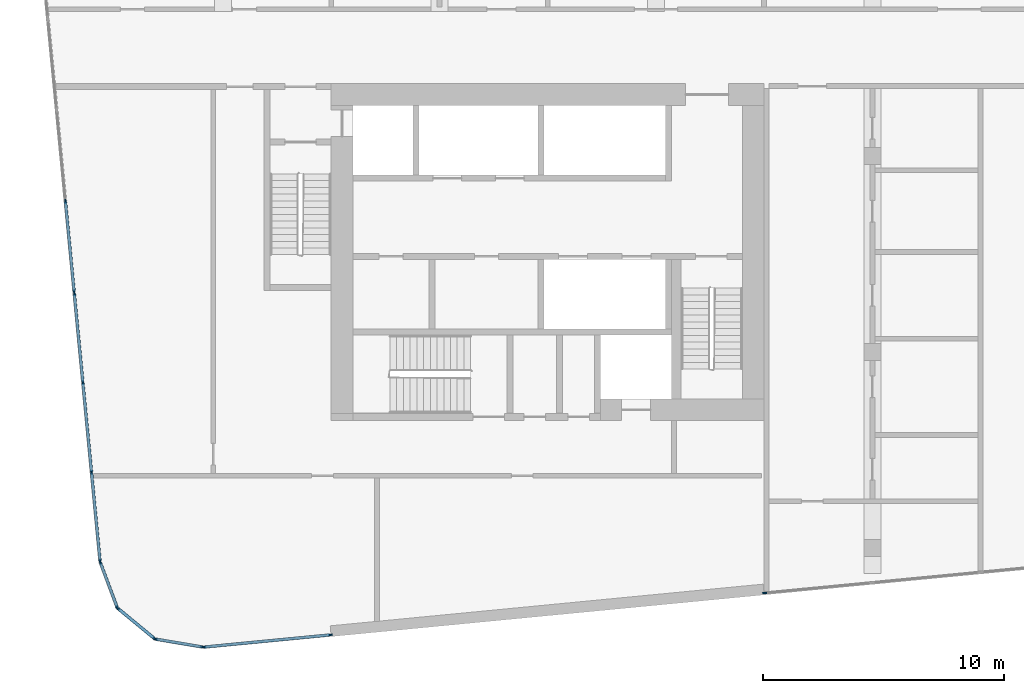
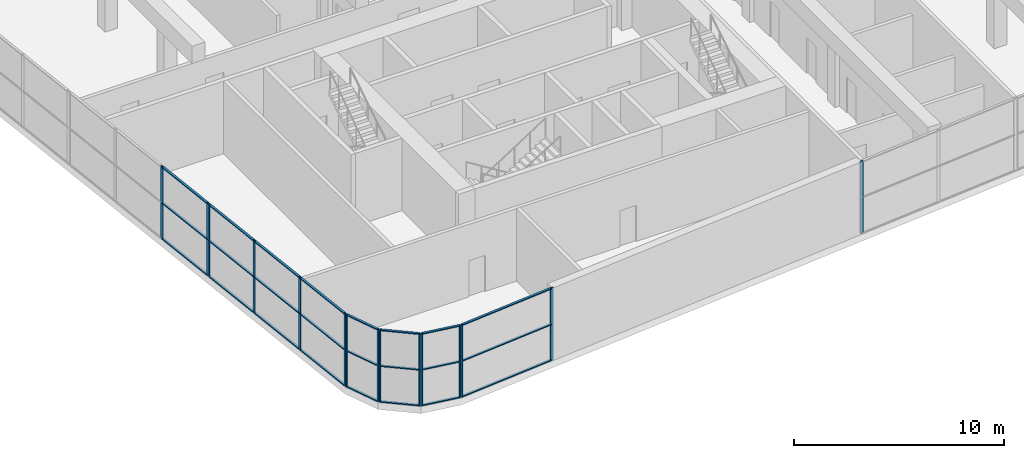
# One storey, part 2 of 21: 39 members, 7 elements without a shape of their own.
"""IFC4 building model written with IfcOpenShell, lengths in metres."""

from ifc_helpers import new_model, si_unit, direction, frame, origin, origin_2d, place, context, subcontext, project, spatial, rectangle, extrude, material, material_profile, profile_set, type_object, element, aggregate, save


model = new_model("IFC4")

# Units and contexts
model_context = context("Model", 3, precision=1e-05, world=origin(), true_north=direction((0.0, 1.0)))
body_context = subcontext(model_context, "Body", "Model", "MODEL_VIEW")
ifc_project = project(units=[si_unit("LENGTHUNIT", "METRE"), si_unit("AREAUNIT", "SQUARE_METRE"), si_unit("VOLUMEUNIT", "CUBIC_METRE"), si_unit("PLANEANGLEUNIT", "RADIAN"), si_unit("MASSUNIT", "GRAM", prefix="KILO")], contexts=[model_context])

# Site, building, storey
site_placement = place(None, origin())
site = spatial("IfcSite", under=ifc_project, at=site_placement, CompositionType="ELEMENT")
building_placement = place(site_placement, origin())
building = spatial("IfcBuilding", under=site, at=building_placement, Name="Kajstack Hotel Tower", CompositionType="ELEMENT")
storey_placement = place(building_placement, frame((0.0, 0.0, 162.39990234375)))
storey = spatial("IfcBuildingStorey", under=building, at=storey_placement, Name="L37", CompositionType="ELEMENT", Elevation=162.39990234375)

# Curtain wall, members
ifc_material_1 = material(Name="Aluminium-framed curtain wall, insulated glass with fritted edge", Category="aluminium")
curtain_wall_type = type_object("IfcCurtainWallType", Name="CW-SPA", PredefinedType="NOTDEFINED", material=ifc_material_1)
curtain_wall_1_placement = place(storey_placement, origin())
curtain_wall_1 = element("IfcCurtainWall", 1, at=curtain_wall_1_placement, inside=storey, type_object=curtain_wall_type, Name="Curtain wall CU7 L37-00-00-1", PredefinedType="NOTDEFINED")
ifc_material_2 = material(Name="Aluminium", Category="aluminium")
ifc_material_profile_1 = material_profile(ifc_material_2, rectangle(XDim=0.06005859375, YDim=0.179931640625, at=origin_2d()), Name="Aluminium mullion 60 x 180")
ifc_profile_set_1 = profile_set([ifc_material_profile_1], Name="Aluminium")
member_type_1 = type_object("IfcMemberType", Name="CW-M-SPA", PredefinedType="MULLION", material=ifc_profile_set_1)
member_1_placement = place(storey_placement, frame((-42.549072265625, -6.392822265625, 0.0), z_axis=(0.0, 0.0, 1.0), x_axis=(0.995396336722, 0.095844315639, 0.0)))
member_1 = element("IfcMember", 2, at=member_1_placement, type_object=member_type_1, Name="CU7 mullion 3", PredefinedType="MULLION", context=body_context, shape_type="SweptSolid", body=[
    extrude(rectangle(XDim=0.06005859375, YDim=0.179931640625, at=origin_2d()), origin(), (0.0, 0.0, 1.0), 4.22021484375),
])
member_2_placement = place(storey_placement, frame((-42.186279296875, -10.162841796875, 0.0), z_axis=(0.0, 0.0, 1.0), x_axis=(0.995396336722, 0.095844315639, 0.0)))
member_2 = element("IfcMember", 3, at=member_2_placement, type_object=member_type_1, Name="CU7 mullion 4", PredefinedType="MULLION", context=body_context, shape_type="SweptSolid", body=[
    extrude(rectangle(XDim=0.06005859375, YDim=0.179931640625, at=origin_2d()), origin(), (0.0, 0.0, 1.0), 4.22021484375),
])

curtain_wall_2_placement = place(storey_placement, origin())
curtain_wall_2 = element("IfcCurtainWall", 4, at=curtain_wall_2_placement, inside=storey, type_object=curtain_wall_type, Name="Curtain wall CU7 L37-00-00-2", PredefinedType="NOTDEFINED")
member_3_placement = place(storey_placement, frame((-42.180419921875, -10.22265625, 0.0), z_axis=(0.0, 0.0, 1.0), x_axis=(0.995396334827, 0.095844335322, 0.0)))
member_3 = element("IfcMember", 5, at=member_3_placement, type_object=member_type_1, Name="CU7 mullion 1", PredefinedType="MULLION", context=body_context, shape_type="SweptSolid", body=[
    extrude(rectangle(XDim=0.06005859375, YDim=0.179931640625, at=origin_2d()), origin(), (0.0, 0.0, 1.0), 4.22021484375),
])
member_4_placement = place(storey_placement, frame((-41.82373046875, -13.926025390625, 0.0), z_axis=(0.0, 0.0, 1.0), x_axis=(0.995396334827, 0.095844335322, 0.0)))
member_4 = element("IfcMember", 6, at=member_4_placement, type_object=member_type_1, Name="CU7 mullion 2", PredefinedType="MULLION", context=body_context, shape_type="SweptSolid", body=[
    extrude(rectangle(XDim=0.06005859375, YDim=0.179931640625, at=origin_2d()), origin(), (0.0, 0.0, 1.0), 4.22021484375),
])
member_5_placement = place(storey_placement, frame((-41.46435546875, -17.658935546875, 0.0), z_axis=(0.0, 0.0, 1.0), x_axis=(0.995396334827, 0.095844335322, 0.0)))
member_5 = element("IfcMember", 7, at=member_5_placement, type_object=member_type_1, Name="CU7 mullion 3", PredefinedType="MULLION", context=body_context, shape_type="SweptSolid", body=[
    extrude(rectangle(XDim=0.06005859375, YDim=0.179931640625, at=origin_2d()), origin(), (0.0, 0.0, 1.0), 4.22021484375),
])
member_6_placement = place(storey_placement, frame((-41.10791015625, -21.3623046875, 0.0), z_axis=(0.0, 0.0, 1.0), x_axis=(0.995396334827, 0.095844335322, 0.0)))
member_6 = element("IfcMember", 8, at=member_6_placement, type_object=member_type_1, Name="CU7 mullion 4", PredefinedType="MULLION", context=body_context, shape_type="SweptSolid", body=[
    extrude(rectangle(XDim=0.06005859375, YDim=0.179931640625, at=origin_2d()), origin(), (0.0, 0.0, 1.0), 4.22021484375),
])

curtain_wall_3_placement = place(storey_placement, origin())
curtain_wall_3 = element("IfcCurtainWall", 9, at=curtain_wall_3_placement, inside=storey, type_object=curtain_wall_type, Name="Curtain wall CU7 L37-01-00-0", PredefinedType="NOTDEFINED")
member_7_placement = place(storey_placement, frame((-41.098876953125, -21.401123046875, 0.0), z_axis=(0.0, 0.0, 1.0), x_axis=(0.936664162844, 0.350228848104, 0.0)))
member_7 = element("IfcMember", 10, at=member_7_placement, type_object=member_type_1, Name="CU7 mullion 1", PredefinedType="MULLION", context=body_context, shape_type="SweptSolid", body=[
    extrude(rectangle(XDim=0.06005859375, YDim=0.179931640625, at=origin_2d()), origin(), (0.0, 0.0, 1.0), 4.22021484375),
])
member_8_placement = place(storey_placement, frame((-40.394775390625, -23.284423828125, 0.0), z_axis=(0.0, 0.0, 1.0), x_axis=(0.936664162844, 0.350228848104, 0.0)))
member_8 = element("IfcMember", 11, at=member_8_placement, type_object=member_type_1, Name="CU7 mullion 2", PredefinedType="MULLION", context=body_context, shape_type="SweptSolid", body=[
    extrude(rectangle(XDim=0.06005859375, YDim=0.179931640625, at=origin_2d()), origin(), (0.0, 0.0, 1.0), 4.22021484375),
])

curtain_wall_4_placement = place(storey_placement, origin())
curtain_wall_4 = element("IfcCurtainWall", 12, at=curtain_wall_4_placement, inside=storey, type_object=curtain_wall_type, Name="Curtain wall CU7 L37-02-00-0", PredefinedType="NOTDEFINED")
member_9_placement = place(storey_placement, frame((-40.383544921875, -23.300048828125, 0.0), z_axis=(0.0, 0.0, 1.0), x_axis=(0.636089777678, 0.771615056057, 0.0)))
member_9 = element("IfcMember", 13, at=member_9_placement, type_object=member_type_1, Name="CU7 mullion 1", PredefinedType="MULLION", context=body_context, shape_type="SweptSolid", body=[
    extrude(rectangle(XDim=0.06005859375, YDim=0.179931640625, at=origin_2d()), origin(), (0.0, 0.0, 1.0), 4.22021484375),
])
member_10_placement = place(storey_placement, frame((-38.832275390625, -24.578857421875, 0.0), z_axis=(0.0, 0.0, 1.0), x_axis=(0.636089777678, 0.771615056057, 0.0)))
member_10 = element("IfcMember", 14, at=member_10_placement, type_object=member_type_1, Name="CU7 mullion 2", PredefinedType="MULLION", context=body_context, shape_type="SweptSolid", body=[
    extrude(rectangle(XDim=0.06005859375, YDim=0.179931640625, at=origin_2d()), origin(), (0.0, 0.0, 1.0), 4.22021484375),
])

curtain_wall_5_placement = place(storey_placement, origin())
curtain_wall_5 = element("IfcCurtainWall", 15, at=curtain_wall_5_placement, inside=storey, type_object=curtain_wall_type, Name="Curtain wall CU7 L37-03-00-0", PredefinedType="NOTDEFINED")
member_11_placement = place(storey_placement, frame((-38.81494140625, -24.586669921875, 0.0), z_axis=(0.0, 0.0, 1.0), x_axis=(0.165025489464, 0.986289302298, 0.0)))
member_11 = element("IfcMember", 16, at=member_11_placement, type_object=member_type_1, Name="CU7 mullion 1", PredefinedType="MULLION", context=body_context, shape_type="SweptSolid", body=[
    extrude(rectangle(XDim=0.06005859375, YDim=0.179931640625, at=origin_2d()), origin(), (0.0, 0.0, 1.0), 4.22021484375),
])
member_12_placement = place(storey_placement, frame((-36.831787109375, -24.91845703125, 0.0), z_axis=(0.0, 0.0, 1.0), x_axis=(0.165025489464, 0.986289302298, 0.0)))
member_12 = element("IfcMember", 17, at=member_12_placement, type_object=member_type_1, Name="CU7 mullion 2", PredefinedType="MULLION", context=body_context, shape_type="SweptSolid", body=[
    extrude(rectangle(XDim=0.06005859375, YDim=0.179931640625, at=origin_2d()), origin(), (0.0, 0.0, 1.0), 4.22021484375),
])

curtain_wall_6_placement = place(storey_placement, origin())
curtain_wall_6 = element("IfcCurtainWall", 18, at=curtain_wall_6_placement, inside=storey, type_object=curtain_wall_type, Name="Curtain wall CU7 L37-04-00-0", PredefinedType="NOTDEFINED")
member_13_placement = place(storey_placement, frame((-36.7919921875, -24.919921875, 0.0), z_axis=(0.0, 0.0, 1.0), x_axis=(-0.09584528696, 0.995396243195, 0.0)))
member_13 = element("IfcMember", 19, at=member_13_placement, type_object=member_type_1, Name="CU7 mullion 1", PredefinedType="MULLION", context=body_context, shape_type="SweptSolid", body=[
    extrude(rectangle(XDim=0.06005859375, YDim=0.179931640625, at=origin_2d()), origin(), (0.0, 0.0, 1.0), 4.22021484375),
])
member_14_placement = place(storey_placement, frame((-31.537109375, -24.4140625, 0.0), z_axis=(0.0, 0.0, 1.0), x_axis=(-0.09584528696, 0.995396243195, 0.0)))
member_14 = element("IfcMember", 20, at=member_14_placement, type_object=member_type_1, Name="CU7 mullion 2", PredefinedType="MULLION", context=body_context, shape_type="SweptSolid", body=[
    extrude(rectangle(XDim=0.06005859375, YDim=0.179931640625, at=origin_2d()), origin(), (0.0, 0.0, 1.0), 4.22021484375),
])

# Curtain wall, member
curtain_wall_7_placement = place(storey_placement, origin())
curtain_wall_7 = element("IfcCurtainWall", 21, at=curtain_wall_7_placement, inside=storey, type_object=curtain_wall_type, Name="Curtain wall CU7 L37-04-02-0", PredefinedType="NOTDEFINED")
member_15_placement = place(storey_placement, frame((-13.477294921875, -22.675048828125, 0.0), z_axis=(0.0, 0.0, 1.0), x_axis=(-0.095845383606, 0.99539623389, 0.0)))
member_15 = element("IfcMember", 22, at=member_15_placement, type_object=member_type_1, Name="CU7 mullion 1", PredefinedType="MULLION", context=body_context, shape_type="SweptSolid", body=[
    extrude(rectangle(XDim=0.06005859375, YDim=0.179931640625, at=origin_2d()), origin(), (0.0, 0.0, 1.0), 4.22021484375),
])
aggregate(curtain_wall_7, [member_15])

# Member
ifc_material_profile_2 = material_profile(ifc_material_2, rectangle(XDim=0.1201171875, YDim=0.06005859375, at=origin_2d()), Name="Aluminium transom 120 x 60")
ifc_profile_set_2 = profile_set([ifc_material_profile_2], Name="Aluminium")
member_type_2 = type_object("IfcMemberType", Name="CW-T-SPA", PredefinedType="USERDEFINED", material=ifc_profile_set_2)
member_16_placement = place(storey_placement, frame((-42.54638671875, -6.422607421875, 0.030029296875), z_axis=(0.095884626486, -0.995392454464, 0.0), x_axis=(0.995392454464, 0.095884626486, 0.0)))
member_16 = element("IfcMember", 23, at=member_16_placement, type_object=member_type_2, Name="CU7 transom 3.1", ObjectType="TRANSOM", PredefinedType="USERDEFINED", context=body_context, shape_type="SweptSolid", body=[
    extrude(rectangle(XDim=0.1201171875, YDim=0.06005859375, at=origin_2d()), origin(), (0.0, 0.0, 1.0), 3.7275390625),
])

member_17_placement = place(storey_placement, frame((-42.54638671875, -6.422607421875, 2.110107421875), z_axis=(0.095884626486, -0.995392454464, 0.0), x_axis=(0.995392454464, 0.095884626486, 0.0)))
member_17 = element("IfcMember", 24, at=member_17_placement, type_object=member_type_2, Name="CU7 transom 3.2", ObjectType="TRANSOM", PredefinedType="USERDEFINED", context=body_context, shape_type="SweptSolid", body=[
    extrude(rectangle(XDim=0.1201171875, YDim=0.06005859375, at=origin_2d()), origin(), (0.0, 0.0, 1.0), 3.7275390625),
])

member_18_placement = place(storey_placement, frame((-42.54638671875, -6.422607421875, 4.190185546875), z_axis=(0.095884626486, -0.995392454464, 0.0), x_axis=(0.995392454464, 0.095884626486, 0.0)))
member_18 = element("IfcMember", 25, at=member_18_placement, type_object=member_type_2, Name="CU7 transom 3.3", ObjectType="TRANSOM", PredefinedType="USERDEFINED", context=body_context, shape_type="SweptSolid", body=[
    extrude(rectangle(XDim=0.1201171875, YDim=0.06005859375, at=origin_2d()), origin(), (0.0, 0.0, 1.0), 3.7275390625),
])

aggregate(curtain_wall_1, [member_1, member_2, member_16, member_17, member_18])

member_19_placement = place(storey_placement, frame((-42.177490234375, -10.25244140625, 0.030029296875), z_axis=(0.095844579162, -0.995396311348, 0.0), x_axis=(0.995396311348, 0.095844579162, 0.0)))
member_19 = element("IfcMember", 26, at=member_19_placement, type_object=member_type_2, Name="CU7 transom 1.1", ObjectType="TRANSOM", PredefinedType="USERDEFINED", context=body_context, shape_type="SweptSolid", body=[
    extrude(rectangle(XDim=0.1201171875, YDim=0.06005859375, at=origin_2d()), origin(), (0.0, 0.0, 1.0), 3.660400390625),
])

member_20_placement = place(storey_placement, frame((-42.177490234375, -10.25244140625, 2.110107421875), z_axis=(0.095844579162, -0.995396311348, 0.0), x_axis=(0.995396311348, 0.095844579162, 0.0)))
member_20 = element("IfcMember", 27, at=member_20_placement, type_object=member_type_2, Name="CU7 transom 1.2", ObjectType="TRANSOM", PredefinedType="USERDEFINED", context=body_context, shape_type="SweptSolid", body=[
    extrude(rectangle(XDim=0.1201171875, YDim=0.06005859375, at=origin_2d()), origin(), (0.0, 0.0, 1.0), 3.660400390625),
])

member_21_placement = place(storey_placement, frame((-42.177490234375, -10.25244140625, 4.190185546875), z_axis=(0.095844579162, -0.995396311348, 0.0), x_axis=(0.995396311348, 0.095844579162, 0.0)))
member_21 = element("IfcMember", 28, at=member_21_placement, type_object=member_type_2, Name="CU7 transom 1.3", ObjectType="TRANSOM", PredefinedType="USERDEFINED", context=body_context, shape_type="SweptSolid", body=[
    extrude(rectangle(XDim=0.1201171875, YDim=0.06005859375, at=origin_2d()), origin(), (0.0, 0.0, 1.0), 3.660400390625),
])

member_22_placement = place(storey_placement, frame((-41.821044921875, -13.955810546875, 0.030029296875), z_axis=(0.095861155272, -0.995394715131, 0.0), x_axis=(0.995394715131, 0.095861155272, 0.0)))
member_22 = element("IfcMember", 29, at=member_22_placement, type_object=member_type_2, Name="CU7 transom 2.1", ObjectType="TRANSOM", PredefinedType="USERDEFINED", context=body_context, shape_type="SweptSolid", body=[
    extrude(rectangle(XDim=0.1201171875, YDim=0.06005859375, at=origin_2d()), origin(), (0.0, 0.0, 1.0), 3.6904296875),
])

member_23_placement = place(storey_placement, frame((-41.821044921875, -13.955810546875, 2.110107421875), z_axis=(0.095861155272, -0.995394715131, 0.0), x_axis=(0.995394715131, 0.095861155272, 0.0)))
member_23 = element("IfcMember", 30, at=member_23_placement, type_object=member_type_2, Name="CU7 transom 2.2", ObjectType="TRANSOM", PredefinedType="USERDEFINED", context=body_context, shape_type="SweptSolid", body=[
    extrude(rectangle(XDim=0.1201171875, YDim=0.06005859375, at=origin_2d()), origin(), (0.0, 0.0, 1.0), 3.6904296875),
])

member_24_placement = place(storey_placement, frame((-41.821044921875, -13.955810546875, 4.190185546875), z_axis=(0.095861155272, -0.995394715131, 0.0), x_axis=(0.995394715131, 0.095861155272, 0.0)))
member_24 = element("IfcMember", 31, at=member_24_placement, type_object=member_type_2, Name="CU7 transom 2.3", ObjectType="TRANSOM", PredefinedType="USERDEFINED", context=body_context, shape_type="SweptSolid", body=[
    extrude(rectangle(XDim=0.1201171875, YDim=0.06005859375, at=origin_2d()), origin(), (0.0, 0.0, 1.0), 3.6904296875),
])

member_25_placement = place(storey_placement, frame((-41.46142578125, -17.68896484375, 0.030029296875), z_axis=(0.095850942764, -0.99539569859, 0.0), x_axis=(0.99539569859, 0.095850942764, 0.0)))
member_25 = element("IfcMember", 32, at=member_25_placement, type_object=member_type_2, Name="CU7 transom 3.1", ObjectType="TRANSOM", PredefinedType="USERDEFINED", context=body_context, shape_type="SweptSolid", body=[
    extrude(rectangle(XDim=0.1201171875, YDim=0.06005859375, at=origin_2d()), origin(), (0.0, 0.0, 1.0), 3.66015625),
])

member_26_placement = place(storey_placement, frame((-41.46142578125, -17.68896484375, 2.110107421875), z_axis=(0.095850942764, -0.99539569859, 0.0), x_axis=(0.99539569859, 0.095850942764, 0.0)))
member_26 = element("IfcMember", 33, at=member_26_placement, type_object=member_type_2, Name="CU7 transom 3.2", ObjectType="TRANSOM", PredefinedType="USERDEFINED", context=body_context, shape_type="SweptSolid", body=[
    extrude(rectangle(XDim=0.1201171875, YDim=0.06005859375, at=origin_2d()), origin(), (0.0, 0.0, 1.0), 3.66015625),
])

member_27_placement = place(storey_placement, frame((-41.46142578125, -17.68896484375, 4.190185546875), z_axis=(0.095850942764, -0.99539569859, 0.0), x_axis=(0.99539569859, 0.095850942764, 0.0)))
member_27 = element("IfcMember", 34, at=member_27_placement, type_object=member_type_2, Name="CU7 transom 3.3", ObjectType="TRANSOM", PredefinedType="USERDEFINED", context=body_context, shape_type="SweptSolid", body=[
    extrude(rectangle(XDim=0.1201171875, YDim=0.06005859375, at=origin_2d()), origin(), (0.0, 0.0, 1.0), 3.66015625),
])

aggregate(curtain_wall_2, [member_3, member_4, member_5, member_6, member_19, member_20, member_21, member_22, member_23, member_24, member_25, member_26, member_27])

member_28_placement = place(storey_placement, frame((-41.08837890625, -21.42919921875, 0.030029296875), z_axis=(0.350190587105, -0.936678468154, 0.0), x_axis=(0.936678468154, 0.350190587105, 0.0)))
member_28 = element("IfcMember", 35, at=member_28_placement, type_object=member_type_2, Name="CU7 transom 1.1", ObjectType="TRANSOM", PredefinedType="USERDEFINED", context=body_context, shape_type="SweptSolid", body=[
    extrude(rectangle(XDim=0.1201171875, YDim=0.06005859375, at=origin_2d()), origin(), (0.0, 0.0, 1.0), 1.95068359375),
])

member_29_placement = place(storey_placement, frame((-41.08837890625, -21.42919921875, 2.110107421875), z_axis=(0.350190587105, -0.936678468154, 0.0), x_axis=(0.936678468154, 0.350190587105, 0.0)))
member_29 = element("IfcMember", 36, at=member_29_placement, type_object=member_type_2, Name="CU7 transom 1.2", ObjectType="TRANSOM", PredefinedType="USERDEFINED", context=body_context, shape_type="SweptSolid", body=[
    extrude(rectangle(XDim=0.1201171875, YDim=0.06005859375, at=origin_2d()), origin(), (0.0, 0.0, 1.0), 1.95068359375),
])

member_30_placement = place(storey_placement, frame((-41.08837890625, -21.42919921875, 4.190185546875), z_axis=(0.350190587105, -0.936678468154, 0.0), x_axis=(0.936678468154, 0.350190587105, 0.0)))
member_30 = element("IfcMember", 37, at=member_30_placement, type_object=member_type_2, Name="CU7 transom 1.3", ObjectType="TRANSOM", PredefinedType="USERDEFINED", context=body_context, shape_type="SweptSolid", body=[
    extrude(rectangle(XDim=0.1201171875, YDim=0.06005859375, at=origin_2d()), origin(), (0.0, 0.0, 1.0), 1.95068359375),
])

aggregate(curtain_wall_3, [member_7, member_8, member_28, member_29, member_30])

member_31_placement = place(storey_placement, frame((-40.3603515625, -23.319091796875, 0.030029296875), z_axis=(0.771576013797, -0.63613713532, 0.0), x_axis=(0.63613713532, 0.771576013797, 0.0)))
member_31 = element("IfcMember", 38, at=member_31_placement, type_object=member_type_2, Name="CU7 transom 1.1", ObjectType="TRANSOM", PredefinedType="USERDEFINED", context=body_context, shape_type="SweptSolid", body=[
    extrude(rectangle(XDim=0.1201171875, YDim=0.06005859375, at=origin_2d()), origin(), (0.0, 0.0, 1.0), 1.950439453125),
])

member_32_placement = place(storey_placement, frame((-40.3603515625, -23.319091796875, 2.110107421875), z_axis=(0.771576013797, -0.63613713532, 0.0), x_axis=(0.63613713532, 0.771576013797, 0.0)))
member_32 = element("IfcMember", 39, at=member_32_placement, type_object=member_type_2, Name="CU7 transom 1.2", ObjectType="TRANSOM", PredefinedType="USERDEFINED", context=body_context, shape_type="SweptSolid", body=[
    extrude(rectangle(XDim=0.1201171875, YDim=0.06005859375, at=origin_2d()), origin(), (0.0, 0.0, 1.0), 1.950439453125),
])

member_33_placement = place(storey_placement, frame((-40.3603515625, -23.319091796875, 4.190185546875), z_axis=(0.771576013797, -0.63613713532, 0.0), x_axis=(0.63613713532, 0.771576013797, 0.0)))
member_33 = element("IfcMember", 40, at=member_33_placement, type_object=member_type_2, Name="CU7 transom 1.3", ObjectType="TRANSOM", PredefinedType="USERDEFINED", context=body_context, shape_type="SweptSolid", body=[
    extrude(rectangle(XDim=0.1201171875, YDim=0.06005859375, at=origin_2d()), origin(), (0.0, 0.0, 1.0), 1.950439453125),
])

aggregate(curtain_wall_4, [member_9, member_10, member_31, member_32, member_33])

member_34_placement = place(storey_placement, frame((-38.78515625, -24.591796875, 0.030029296875), z_axis=(0.986299040765, -0.164967276108, 0.0), x_axis=(0.164967276108, 0.986299040765, 0.0)))
member_34 = element("IfcMember", 41, at=member_34_placement, type_object=member_type_2, Name="CU7 transom 1.1", ObjectType="TRANSOM", PredefinedType="USERDEFINED", context=body_context, shape_type="SweptSolid", body=[
    extrude(rectangle(XDim=0.1201171875, YDim=0.06005859375, at=origin_2d()), origin(), (0.0, 0.0, 1.0), 1.950439453125),
])

member_35_placement = place(storey_placement, frame((-38.78515625, -24.591796875, 2.110107421875), z_axis=(0.986299040765, -0.164967276108, 0.0), x_axis=(0.164967276108, 0.986299040765, 0.0)))
member_35 = element("IfcMember", 42, at=member_35_placement, type_object=member_type_2, Name="CU7 transom 1.2", ObjectType="TRANSOM", PredefinedType="USERDEFINED", context=body_context, shape_type="SweptSolid", body=[
    extrude(rectangle(XDim=0.1201171875, YDim=0.06005859375, at=origin_2d()), origin(), (0.0, 0.0, 1.0), 1.950439453125),
])

member_36_placement = place(storey_placement, frame((-38.78515625, -24.591796875, 4.190185546875), z_axis=(0.986299040765, -0.164967276108, 0.0), x_axis=(0.164967276108, 0.986299040765, 0.0)))
member_36 = element("IfcMember", 43, at=member_36_placement, type_object=member_type_2, Name="CU7 transom 1.3", ObjectType="TRANSOM", PredefinedType="USERDEFINED", context=body_context, shape_type="SweptSolid", body=[
    extrude(rectangle(XDim=0.1201171875, YDim=0.06005859375, at=origin_2d()), origin(), (0.0, 0.0, 1.0), 1.950439453125),
])

aggregate(curtain_wall_5, [member_11, member_12, member_34, member_35, member_36])

member_37_placement = place(storey_placement, frame((-36.761962890625, -24.9169921875, 0.030029296875), z_axis=(0.995395906744, 0.095848781095, 0.0), x_axis=(-0.095848781095, 0.995395906744, 0.0)))
member_37 = element("IfcMember", 44, at=member_37_placement, type_object=member_type_2, Name="CU7 transom 1.1", ObjectType="TRANSOM", PredefinedType="USERDEFINED", context=body_context, shape_type="SweptSolid", body=[
    extrude(rectangle(XDim=0.1201171875, YDim=0.06005859375, at=origin_2d()), origin(), (0.0, 0.0, 1.0), 5.218994140625),
])

member_38_placement = place(storey_placement, frame((-36.761962890625, -24.9169921875, 2.110107421875), z_axis=(0.995395906744, 0.095848781095, 0.0), x_axis=(-0.095848781095, 0.995395906744, 0.0)))
member_38 = element("IfcMember", 45, at=member_38_placement, type_object=member_type_2, Name="CU7 transom 1.2", ObjectType="TRANSOM", PredefinedType="USERDEFINED", context=body_context, shape_type="SweptSolid", body=[
    extrude(rectangle(XDim=0.1201171875, YDim=0.06005859375, at=origin_2d()), origin(), (0.0, 0.0, 1.0), 5.218994140625),
])

member_39_placement = place(storey_placement, frame((-36.761962890625, -24.9169921875, 4.190185546875), z_axis=(0.995395906744, 0.095848781095, 0.0), x_axis=(-0.095848781095, 0.995395906744, 0.0)))
member_39 = element("IfcMember", 46, at=member_39_placement, type_object=member_type_2, Name="CU7 transom 1.3", ObjectType="TRANSOM", PredefinedType="USERDEFINED", context=body_context, shape_type="SweptSolid", body=[
    extrude(rectangle(XDim=0.1201171875, YDim=0.06005859375, at=origin_2d()), origin(), (0.0, 0.0, 1.0), 5.218994140625),
])

aggregate(curtain_wall_6, [member_13, member_14, member_37, member_38, member_39])

save(model, "model.ifc")
